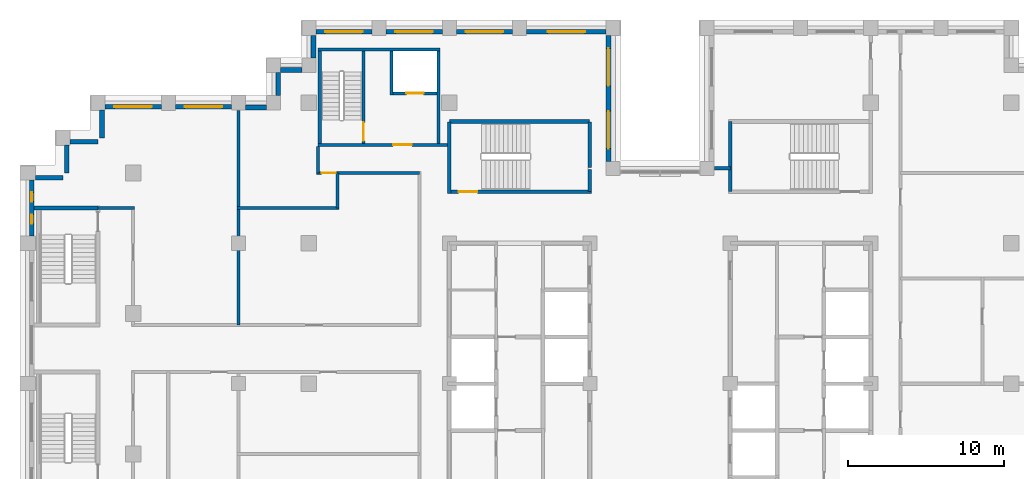
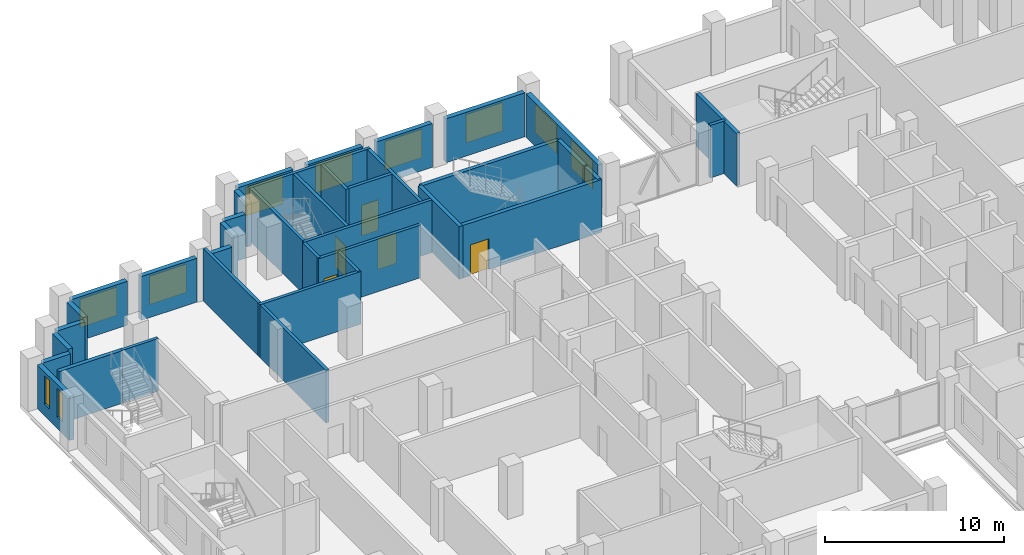
# One storey, part 10 of 15: 37 walls, 10 windows, 5 doors, 15 openings.
"""IFC4 building model written with IfcOpenShell, lengths in metres."""

from ifc_helpers import new_model, si_unit, direction, frame, frame_2d, origin, place, context, subcontext, project, spatial, rectangle, extrude, material, layer, layer_set, type_object, element, fill, save


model = new_model("IFC4")

# Units and contexts
model_context = context("Model", 3, precision=1e-05, world=origin(), true_north=direction((0.0, 1.0)))
body_context = subcontext(model_context, "Body", "Model", "MODEL_VIEW")
ifc_project = project(units=[si_unit("LENGTHUNIT", "METRE"), si_unit("AREAUNIT", "SQUARE_METRE"), si_unit("VOLUMEUNIT", "CUBIC_METRE"), si_unit("PLANEANGLEUNIT", "RADIAN"), si_unit("MASSUNIT", "GRAM", prefix="KILO")], contexts=[model_context])

# Site, building, storey
site_placement = place(None, origin())
site = spatial("IfcSite", under=ifc_project, at=site_placement, CompositionType="ELEMENT")
building_placement = place(site_placement, origin())
building = spatial("IfcBuilding", under=site, at=building_placement, Name="Corbelhall Arena Tower", CompositionType="ELEMENT")
storey_placement = place(building_placement, frame((0.0, 0.0, 232.0)))
storey = spatial("IfcBuildingStorey", under=building, at=storey_placement, Name="L49", CompositionType="ELEMENT", Elevation=232.0)

# Walls
ifc_material_1 = material(Name="Precast concrete C40/50 with granite facing", Category="masonry")
ifc_layer_1 = layer(ifc_material_1, 0.300048828125)
ifc_layer_set_1 = layer_set([ifc_layer_1], Name="EV-IW1 Infill panel 300")
wall_type_1 = type_object("IfcWallType", Name="EV-IW1 Infill panel 300", PredefinedType="SOLIDWALL", material=ifc_layer_set_1)
for number, where, z_axis, x_axis, name in (
    (1, (-35.75, 17.550048828125, 0.0), (0.0, 0.0, 1.0), (0.0, -1.0, 0.0), "Infill panel IW1"),
    (2, (-37.800048828125, 15.5, 0.0), (0.0, 0.0, 1.0), (1.0, 0.0, 0.0), "Infill panel IW1"),
    (3, (-38.0, 15.300048828125, 0.0), (0.0, 0.0, 1.0), (0.0, -1.0, 0.0), "Infill panel IW1"),
):
    element("IfcWall", number, at=place(storey_placement, frame(where, z_axis=z_axis, x_axis=x_axis)), inside=storey, type_object=wall_type_1, Name=name, PredefinedType="SOLIDWALL", context=body_context, shape_type="SweptSolid", body=[
        extrude(rectangle(XDim=1.800048828125, YDim=0.300048828125, at=frame_2d((0.89990234375, 0.0))), origin(), (0.0, 0.0, 1.0), 2.99951171875),
    ])
wall_1_placement = place(storey_placement, frame((-40.0, 13.199951171875, 0.0), z_axis=(0.0, 0.0, 1.0), x_axis=(1.0, 0.0, 0.0)))
element("IfcWall", 4, at=wall_1_placement, inside=storey, type_object=wall_type_1, Name="Infill panel IW1", PredefinedType="SOLIDWALL", context=body_context, shape_type="SweptSolid", body=[
    extrude(rectangle(XDim=1.75, YDim=0.300048828125, at=frame_2d((0.875, 0.0))), origin(), (0.0, 0.0, 1.0), 2.99951171875),
])
wall_2_placement = place(storey_placement, frame((-22.949951171875, 20.10009765625, 0.0), z_axis=(0.0, 0.0, 1.0), x_axis=(-1.0, 0.0, 0.0)))
element("IfcWall", 5, at=wall_2_placement, inside=storey, type_object=wall_type_1, Name="Infill panel IW1", PredefinedType="SOLIDWALL", context=body_context, shape_type="SweptSolid", body=[
    extrude(rectangle(XDim=1.35009765625, YDim=0.300048828125, at=frame_2d((0.675048828125, 0.0))), origin(), (0.0, 0.0, 1.0), 2.99951171875),
])
wall_3_placement = place(storey_placement, frame((-24.449951171875, 19.949951171875, 0.0), z_axis=(0.0, 0.0, 1.0), x_axis=(0.0, -1.0, 0.0)))
element("IfcWall", 6, at=wall_3_placement, inside=storey, type_object=wall_type_1, Name="Infill panel IW1", PredefinedType="SOLIDWALL", context=body_context, shape_type="SweptSolid", body=[
    extrude(rectangle(XDim=1.5, YDim=0.300048828125, at=frame_2d((0.75, 0.0))), origin(), (0.0, 0.0, 1.0), 2.99951171875),
])
wall_4_placement = place(storey_placement, frame((-25.199951171875, 17.699951171875, 0.0), z_axis=(0.0, 0.0, 1.0), x_axis=(-1.0, 0.0, 0.0)))
element("IfcWall", 7, at=wall_4_placement, inside=storey, type_object=wall_type_1, Name="Infill panel IW1", PredefinedType="SOLIDWALL", context=body_context, shape_type="SweptSolid", body=[
    extrude(rectangle(XDim=1.35009765625, YDim=0.300048828125, at=frame_2d((0.675048828125, 0.0))), origin(), (0.0, 0.0, 1.0), 2.99951171875),
])

# Wall, opening, window
wall_5_placement = place(storey_placement, frame((-27.449951171875, 17.75, 0.0), z_axis=(0.0, 0.0, 1.0), x_axis=(-1.0, 0.0, 0.0)))
wall_5 = element("IfcWall", 8, at=wall_5_placement, inside=storey, type_object=wall_type_1, Name="Infill panel IW1", PredefinedType="SOLIDWALL", context=body_context, shape_type="SweptSolid", body=[
    extrude(rectangle(XDim=3.60009765625, YDim=0.300048828125, at=frame_2d((1.800048828125, 0.0))), origin(), (0.0, 0.0, 1.0), 2.99951171875),
])
opening_1_placement = place(wall_5_placement, frame((0.60009765625, 0.0, 0.800048828125)))
opening_1 = element("IfcOpeningElement", 9, at=opening_1_placement, cuts=wall_5, Name="Opening WN1", PredefinedType="OPENING", context=body_context, shape_type="SweptSolid", body=[
    extrude(rectangle(XDim=2.39990234375, YDim=1.949951171875, at=frame_2d((1.199951171875, 0.97509765625))), frame((0.0, 0.14990234375, 0.0), z_axis=(0.0, -1.0, 0.0), x_axis=(1.0, 0.0, 0.0)), (0.0, 0.0, 1.0), 0.300048828125),
])
ifc_material_2 = material(Name="Aluminium black anodised", Category="aluminium")
window_type_1 = type_object("IfcWindowType", Name="EV-WN1 Office window", PartitioningType="SINGLE_PANEL", PredefinedType="WINDOW", material=ifc_material_2)
window_1_placement = place(opening_1_placement, origin())
window_1 = element("IfcWindow", 10, at=window_1_placement, inside=storey, type_object=window_type_1, Name="Window WN1", OverallHeight=1.949951171875, OverallWidth=2.39990234375, PartitioningType="SINGLE_PANEL", PredefinedType="WINDOW", context=body_context, shape_type="SweptSolid", body=[
    extrude(rectangle(XDim=2.39990234375, YDim=1.949951171875, at=frame_2d((1.199951171875, 0.97509765625))), frame((0.0, 0.030029296875, 0.0), z_axis=(0.0, -1.0, 0.0), x_axis=(1.0, 0.0, 0.0)), (0.0, 0.0, 1.0), 0.06005859375),
])
fill(opening_1, window_1)

wall_6_placement = place(storey_placement, frame((-31.949951171875, 17.75, 0.0), z_axis=(0.0, 0.0, 1.0), x_axis=(-1.0, 0.0, 0.0)))
wall_6 = element("IfcWall", 11, at=wall_6_placement, inside=storey, type_object=wall_type_1, Name="Infill panel IW1", PredefinedType="SOLIDWALL", context=body_context, shape_type="SweptSolid", body=[
    extrude(rectangle(XDim=3.60009765625, YDim=0.300048828125, at=frame_2d((1.800048828125, 0.0))), origin(), (0.0, 0.0, 1.0), 2.99951171875),
])
opening_2_placement = place(wall_6_placement, frame((0.60009765625, 0.0, 0.800048828125)))
opening_2 = element("IfcOpeningElement", 12, at=opening_2_placement, cuts=wall_6, Name="Opening WN1", PredefinedType="OPENING", context=body_context, shape_type="SweptSolid", body=[
    extrude(rectangle(XDim=2.39990234375, YDim=1.949951171875, at=frame_2d((1.199951171875, 0.97509765625))), frame((0.0, 0.14990234375, 0.0), z_axis=(0.0, -1.0, 0.0), x_axis=(1.0, 0.0, 0.0)), (0.0, 0.0, 1.0), 0.300048828125),
])
window_2_placement = place(opening_2_placement, origin())
window_2 = element("IfcWindow", 13, at=window_2_placement, inside=storey, type_object=window_type_1, Name="Window WN1", OverallHeight=1.949951171875, OverallWidth=2.39990234375, PartitioningType="SINGLE_PANEL", PredefinedType="WINDOW", context=body_context, shape_type="SweptSolid", body=[
    extrude(rectangle(XDim=2.39990234375, YDim=1.949951171875, at=frame_2d((1.199951171875, 0.97509765625))), frame((0.0, 0.030029296875, 0.0), z_axis=(0.0, -1.0, 0.0), x_axis=(1.0, 0.0, 0.0)), (0.0, 0.0, 1.0), 0.06005859375),
])
fill(opening_2, window_2)

# Wall, openings, windows
wall_7_placement = place(storey_placement, frame((-40.25, 13.050048828125, 0.0), z_axis=(0.0, 0.0, 1.0), x_axis=(0.0, -1.0, 0.0)))
wall_7 = element("IfcWall", 14, at=wall_7_placement, inside=storey, type_object=wall_type_1, Name="Infill panel IW1", PredefinedType="SOLIDWALL", context=body_context, shape_type="SweptSolid", body=[
    extrude(rectangle(XDim=3.60009765625, YDim=0.300048828125, at=frame_2d((1.800048828125, 0.0))), origin(), (0.0, 0.0, 1.0), 2.99951171875),
])
opening_3_placement = place(wall_7_placement, frame((0.78759765625, 0.0, 0.800048828125)))
opening_3 = element("IfcOpeningElement", 15, at=opening_3_placement, cuts=wall_7, Name="Opening WN5", PredefinedType="OPENING", context=body_context, shape_type="SweptSolid", body=[
    extrude(rectangle(XDim=0.60009765625, YDim=1.949951171875, at=frame_2d((0.300048828125, 0.97509765625))), frame((0.0, 0.14990234375, 0.0), z_axis=(0.0, -1.0, 0.0), x_axis=(1.0, 0.0, 0.0)), (0.0, 0.0, 1.0), 0.300048828125),
])
opening_4_placement = place(wall_7_placement, frame((2.21240234375, 0.0, 0.800048828125)))
opening_4 = element("IfcOpeningElement", 16, at=opening_4_placement, cuts=wall_7, Name="Opening WN5", PredefinedType="OPENING", context=body_context, shape_type="SweptSolid", body=[
    extrude(rectangle(XDim=0.60009765625, YDim=1.949951171875, at=frame_2d((0.300048828125, 0.97509765625))), frame((0.0, 0.14990234375, 0.0), z_axis=(0.0, -1.0, 0.0), x_axis=(1.0, 0.0, 0.0)), (0.0, 0.0, 1.0), 0.300048828125),
])
window_type_2 = type_object("IfcWindowType", Name="EV-WN5 Office window 600", PartitioningType="SINGLE_PANEL", PredefinedType="WINDOW", material=ifc_material_2)
window_3_placement = place(opening_3_placement, origin())
window_3 = element("IfcWindow", 17, at=window_3_placement, inside=storey, type_object=window_type_2, Name="Window WN5", OverallHeight=1.949951171875, OverallWidth=0.60009765625, PartitioningType="SINGLE_PANEL", PredefinedType="WINDOW", context=body_context, shape_type="SweptSolid", body=[
    extrude(rectangle(XDim=0.60009765625, YDim=1.949951171875, at=frame_2d((0.300048828125, 0.97509765625))), frame((0.0, 0.030029296875, 0.0), z_axis=(0.0, -1.0, 0.0), x_axis=(1.0, 0.0, 0.0)), (0.0, 0.0, 1.0), 0.06005859375),
])
fill(opening_3, window_3)
window_4_placement = place(opening_4_placement, origin())
window_4 = element("IfcWindow", 18, at=window_4_placement, inside=storey, type_object=window_type_2, Name="Window WN5", OverallHeight=1.949951171875, OverallWidth=0.60009765625, PartitioningType="SINGLE_PANEL", PredefinedType="WINDOW", context=body_context, shape_type="SweptSolid", body=[
    extrude(rectangle(XDim=0.60009765625, YDim=1.949951171875, at=frame_2d((0.300048828125, 0.97509765625))), frame((0.0, 0.030029296875, 0.0), z_axis=(0.0, -1.0, 0.0), x_axis=(1.0, 0.0, 0.0)), (0.0, 0.0, 1.0), 0.06005859375),
])
fill(opening_4, window_4)

wall_8_placement = place(storey_placement, frame((-3.300048828125, 14.25, 0.0), z_axis=(0.0, 0.0, 1.0), x_axis=(0.0, 1.0, 0.0)))
wall_8 = element("IfcWall", 19, at=wall_8_placement, inside=storey, type_object=wall_type_1, Name="Infill panel IW1", PredefinedType="SOLIDWALL", context=body_context, shape_type="SweptSolid", body=[
    extrude(rectangle(XDim=8.050048828125, YDim=0.300048828125, at=frame_2d((4.02490234375, 0.0))), origin(), (0.0, 0.0, 1.0), 2.99951171875),
])
opening_5_placement = place(wall_8_placement, frame((0.8125, 0.0, 0.800048828125)))
opening_5 = element("IfcOpeningElement", 20, at=opening_5_placement, cuts=wall_8, Name="Opening WN1", PredefinedType="OPENING", context=body_context, shape_type="SweptSolid", body=[
    extrude(rectangle(XDim=2.39990234375, YDim=1.949951171875, at=frame_2d((1.199951171875, 0.97509765625))), frame((0.0, 0.14990234375, 0.0), z_axis=(0.0, -1.0, 0.0), x_axis=(1.0, 0.0, 0.0)), (0.0, 0.0, 1.0), 0.300048828125),
])
opening_6_placement = place(wall_8_placement, frame((4.83740234375, 0.0, 0.800048828125)))
opening_6 = element("IfcOpeningElement", 21, at=opening_6_placement, cuts=wall_8, Name="Opening WN1", PredefinedType="OPENING", context=body_context, shape_type="SweptSolid", body=[
    extrude(rectangle(XDim=2.39990234375, YDim=1.949951171875, at=frame_2d((1.199951171875, 0.97509765625))), frame((0.0, 0.14990234375, 0.0), z_axis=(0.0, -1.0, 0.0), x_axis=(1.0, 0.0, 0.0)), (0.0, 0.0, 1.0), 0.300048828125),
])
window_5_placement = place(opening_5_placement, origin())
window_5 = element("IfcWindow", 22, at=window_5_placement, inside=storey, type_object=window_type_1, Name="Window WN1", OverallHeight=1.949951171875, OverallWidth=2.39990234375, PartitioningType="SINGLE_PANEL", PredefinedType="WINDOW", context=body_context, shape_type="SweptSolid", body=[
    extrude(rectangle(XDim=2.39990234375, YDim=1.949951171875, at=frame_2d((1.199951171875, 0.97509765625))), frame((0.0, 0.030029296875, 0.0), z_axis=(0.0, -1.0, 0.0), x_axis=(1.0, 0.0, 0.0)), (0.0, 0.0, 1.0), 0.06005859375),
])
fill(opening_5, window_5)
window_6_placement = place(opening_6_placement, origin())
window_6 = element("IfcWindow", 23, at=window_6_placement, inside=storey, type_object=window_type_1, Name="Window WN1", OverallHeight=1.949951171875, OverallWidth=2.39990234375, PartitioningType="SINGLE_PANEL", PredefinedType="WINDOW", context=body_context, shape_type="SweptSolid", body=[
    extrude(rectangle(XDim=2.39990234375, YDim=1.949951171875, at=frame_2d((1.199951171875, 0.97509765625))), frame((0.0, 0.030029296875, 0.0), z_axis=(0.0, -1.0, 0.0), x_axis=(1.0, 0.0, 0.0)), (0.0, 0.0, 1.0), 0.06005859375),
])
fill(opening_6, window_6)

# Wall, opening, window
wall_9_placement = place(storey_placement, frame((-3.449951171875, 22.550048828125, 0.0), z_axis=(0.0, 0.0, 1.0), x_axis=(-1.0, 0.0, 0.0)))
wall_9 = element("IfcWall", 24, at=wall_9_placement, inside=storey, type_object=wall_type_1, Name="Infill panel IW1", PredefinedType="SOLIDWALL", context=body_context, shape_type="SweptSolid", body=[
    extrude(rectangle(XDim=5.10009765625, YDim=0.300048828125, at=frame_2d((2.550048828125, 0.0))), origin(), (0.0, 0.0, 1.0), 2.99951171875),
])
opening_7_placement = place(wall_9_placement, frame((1.35009765625, 0.0, 0.800048828125)))
opening_7 = element("IfcOpeningElement", 25, at=opening_7_placement, cuts=wall_9, Name="Opening WN1", PredefinedType="OPENING", context=body_context, shape_type="SweptSolid", body=[
    extrude(rectangle(XDim=2.39990234375, YDim=1.949951171875, at=frame_2d((1.199951171875, 0.97509765625))), frame((0.0, 0.14990234375, 0.0), z_axis=(0.0, -1.0, 0.0), x_axis=(1.0, 0.0, 0.0)), (0.0, 0.0, 1.0), 0.300048828125),
])
window_7_placement = place(opening_7_placement, origin())
window_7 = element("IfcWindow", 26, at=window_7_placement, inside=storey, type_object=window_type_1, Name="Window WN1", OverallHeight=1.949951171875, OverallWidth=2.39990234375, PartitioningType="SINGLE_PANEL", PredefinedType="WINDOW", context=body_context, shape_type="SweptSolid", body=[
    extrude(rectangle(XDim=2.39990234375, YDim=1.949951171875, at=frame_2d((1.199951171875, 0.97509765625))), frame((0.0, 0.030029296875, 0.0), z_axis=(0.0, -1.0, 0.0), x_axis=(1.0, 0.0, 0.0)), (0.0, 0.0, 1.0), 0.06005859375),
])
fill(opening_7, window_7)

wall_10_placement = place(storey_placement, frame((-9.449951171875, 22.550048828125, 0.0), z_axis=(0.0, 0.0, 1.0), x_axis=(-1.0, 0.0, 0.0)))
wall_10 = element("IfcWall", 27, at=wall_10_placement, inside=storey, type_object=wall_type_1, Name="Infill panel IW1", PredefinedType="SOLIDWALL", context=body_context, shape_type="SweptSolid", body=[
    extrude(rectangle(XDim=3.60009765625, YDim=0.300048828125, at=frame_2d((1.800048828125, 0.0))), origin(), (0.0, 0.0, 1.0), 2.99951171875),
])
opening_8_placement = place(wall_10_placement, frame((0.60009765625, 0.0, 0.800048828125)))
opening_8 = element("IfcOpeningElement", 28, at=opening_8_placement, cuts=wall_10, Name="Opening WN1", PredefinedType="OPENING", context=body_context, shape_type="SweptSolid", body=[
    extrude(rectangle(XDim=2.39990234375, YDim=1.949951171875, at=frame_2d((1.199951171875, 0.97509765625))), frame((0.0, 0.14990234375, 0.0), z_axis=(0.0, -1.0, 0.0), x_axis=(1.0, 0.0, 0.0)), (0.0, 0.0, 1.0), 0.300048828125),
])
window_8_placement = place(opening_8_placement, origin())
window_8 = element("IfcWindow", 29, at=window_8_placement, inside=storey, type_object=window_type_1, Name="Window WN1", OverallHeight=1.949951171875, OverallWidth=2.39990234375, PartitioningType="SINGLE_PANEL", PredefinedType="WINDOW", context=body_context, shape_type="SweptSolid", body=[
    extrude(rectangle(XDim=2.39990234375, YDim=1.949951171875, at=frame_2d((1.199951171875, 0.97509765625))), frame((0.0, 0.030029296875, 0.0), z_axis=(0.0, -1.0, 0.0), x_axis=(1.0, 0.0, 0.0)), (0.0, 0.0, 1.0), 0.06005859375),
])
fill(opening_8, window_8)

wall_11_placement = place(storey_placement, frame((-13.949951171875, 22.550048828125, 0.0), z_axis=(0.0, 0.0, 1.0), x_axis=(-1.0, 0.0, 0.0)))
wall_11 = element("IfcWall", 30, at=wall_11_placement, inside=storey, type_object=wall_type_1, Name="Infill panel IW1", PredefinedType="SOLIDWALL", context=body_context, shape_type="SweptSolid", body=[
    extrude(rectangle(XDim=3.60009765625, YDim=0.300048828125, at=frame_2d((1.800048828125, 0.0))), origin(), (0.0, 0.0, 1.0), 2.99951171875),
])
opening_9_placement = place(wall_11_placement, frame((0.60009765625, 0.0, 0.800048828125)))
opening_9 = element("IfcOpeningElement", 31, at=opening_9_placement, cuts=wall_11, Name="Opening WN1", PredefinedType="OPENING", context=body_context, shape_type="SweptSolid", body=[
    extrude(rectangle(XDim=2.39990234375, YDim=1.949951171875, at=frame_2d((1.199951171875, 0.97509765625))), frame((0.0, 0.14990234375, 0.0), z_axis=(0.0, -1.0, 0.0), x_axis=(1.0, 0.0, 0.0)), (0.0, 0.0, 1.0), 0.300048828125),
])
window_9_placement = place(opening_9_placement, origin())
window_9 = element("IfcWindow", 32, at=window_9_placement, inside=storey, type_object=window_type_1, Name="Window WN1", OverallHeight=1.949951171875, OverallWidth=2.39990234375, PartitioningType="SINGLE_PANEL", PredefinedType="WINDOW", context=body_context, shape_type="SweptSolid", body=[
    extrude(rectangle(XDim=2.39990234375, YDim=1.949951171875, at=frame_2d((1.199951171875, 0.97509765625))), frame((0.0, 0.030029296875, 0.0), z_axis=(0.0, -1.0, 0.0), x_axis=(1.0, 0.0, 0.0)), (0.0, 0.0, 1.0), 0.06005859375),
])
fill(opening_9, window_9)

wall_12_placement = place(storey_placement, frame((-18.449951171875, 22.550048828125, 0.0), z_axis=(0.0, 0.0, 1.0), x_axis=(-1.0, 0.0, 0.0)))
wall_12 = element("IfcWall", 33, at=wall_12_placement, inside=storey, type_object=wall_type_1, Name="Infill panel IW1", PredefinedType="SOLIDWALL", context=body_context, shape_type="SweptSolid", body=[
    extrude(rectangle(XDim=3.60009765625, YDim=0.300048828125, at=frame_2d((1.800048828125, 0.0))), origin(), (0.0, 0.0, 1.0), 2.99951171875),
])
opening_10_placement = place(wall_12_placement, frame((0.60009765625, 0.0, 0.800048828125)))
opening_10 = element("IfcOpeningElement", 34, at=opening_10_placement, cuts=wall_12, Name="Opening WN1", PredefinedType="OPENING", context=body_context, shape_type="SweptSolid", body=[
    extrude(rectangle(XDim=2.39990234375, YDim=1.949951171875, at=frame_2d((1.199951171875, 0.97509765625))), frame((0.0, 0.14990234375, 0.0), z_axis=(0.0, -1.0, 0.0), x_axis=(1.0, 0.0, 0.0)), (0.0, 0.0, 1.0), 0.300048828125),
])
window_10_placement = place(opening_10_placement, origin())
window_10 = element("IfcWindow", 35, at=window_10_placement, inside=storey, type_object=window_type_1, Name="Window WN1", OverallHeight=1.949951171875, OverallWidth=2.39990234375, PartitioningType="SINGLE_PANEL", PredefinedType="WINDOW", context=body_context, shape_type="SweptSolid", body=[
    extrude(rectangle(XDim=2.39990234375, YDim=1.949951171875, at=frame_2d((1.199951171875, 0.97509765625))), frame((0.0, 0.030029296875, 0.0), z_axis=(0.0, -1.0, 0.0), x_axis=(1.0, 0.0, 0.0)), (0.0, 0.0, 1.0), 0.06005859375),
])
fill(opening_10, window_10)

# Walls
wall_13_placement = place(storey_placement, frame((-22.199951171875, 22.300048828125, 0.0), z_axis=(0.0, 0.0, 1.0), x_axis=(0.0, -1.0, 0.0)))
element("IfcWall", 36, at=wall_13_placement, inside=storey, type_object=wall_type_1, Name="Infill panel IW1", PredefinedType="SOLIDWALL", context=body_context, shape_type="SweptSolid", body=[
    extrude(rectangle(XDim=1.449951171875, YDim=0.300048828125, at=frame_2d((0.72509765625, 0.0))), origin(), (0.0, 0.0, 1.0), 2.99951171875),
])
ifc_material_3 = material(Name="Gypsum board on steel stud, acoustic", Category="steel")
ifc_layer_2 = layer(ifc_material_3, 0.199951171875)
ifc_layer_set_2 = layer_set([ifc_layer_2], Name="IN-W-DM200")
wall_type_2 = type_object("IfcWallType", Name="IN-W-DM200", PredefinedType="PARTITIONING", material=ifc_layer_set_2)
wall_14_placement = place(storey_placement, frame((-36.0, 11.25, 0.0), z_axis=(0.0, 0.0, 1.0), x_axis=(1.0, 0.0, 0.0)))
element("IfcWall", 37, at=wall_14_placement, inside=storey, type_object=wall_type_2, Name="Partition 001", PredefinedType="PARTITIONING", context=body_context, shape_type="SweptSolid", body=[
    extrude(rectangle(XDim=2.35009765625, YDim=0.199951171875, at=frame_2d((1.175048828125, 0.0))), origin(), (0.0, 0.0, 1.0), 3.599609375),
])
wall_15_placement = place(storey_placement, frame((-27.10009765625, 11.25, 0.0), z_axis=(0.0, 0.0, 1.0), x_axis=(1.0, 0.0, 0.0)))
element("IfcWall", 38, at=wall_15_placement, inside=storey, type_object=wall_type_2, Name="Partition 009", PredefinedType="PARTITIONING", context=body_context, shape_type="SweptSolid", body=[
    extrude(rectangle(XDim=6.550048828125, YDim=0.199951171875, at=frame_2d((3.27490234375, 0.0))), origin(), (0.0, 0.0, 1.0), 3.599609375),
])
wall_16_placement = place(storey_placement, frame((-27.0, 3.75, 0.0), z_axis=(0.0, 0.0, 1.0), x_axis=(0.0, 1.0, 0.0)))
element("IfcWall", 39, at=wall_16_placement, inside=storey, type_object=wall_type_2, Name="Partition 011", PredefinedType="PARTITIONING", context=body_context, shape_type="SweptSolid", body=[
    extrude(rectangle(XDim=13.75, YDim=0.199951171875, at=frame_2d((6.875, 0.0))), origin(), (0.0, 0.0, 1.0), 3.599609375),
])
wall_17_placement = place(storey_placement, frame((-21.89990234375, 13.5, 0.0), z_axis=(0.0, 0.0, 1.0), x_axis=(0.0, 1.0, 0.0)))
element("IfcWall", 40, at=wall_17_placement, inside=storey, type_object=wall_type_2, Name="Partition 013", PredefinedType="PARTITIONING", context=body_context, shape_type="SweptSolid", body=[
    extrude(rectangle(XDim=1.699951171875, YDim=0.199951171875, at=frame_2d((0.85009765625, 0.0))), origin(), (0.0, 0.0, 1.0), 3.599609375),
])
wall_18_placement = place(storey_placement, frame((-20.64990234375, 11.25, 0.0), z_axis=(0.0, 0.0, 1.0), x_axis=(0.0, 1.0, 0.0)))
element("IfcWall", 41, at=wall_18_placement, inside=storey, type_object=wall_type_2, Name="Partition 016", PredefinedType="PARTITIONING", context=body_context, shape_type="SweptSolid", body=[
    extrude(rectangle(XDim=2.25, YDim=0.199951171875, at=frame_2d((1.125, 0.0))), origin(), (0.0, 0.0, 1.0), 3.599609375),
])

# Wall, opening, door
wall_19_placement = place(storey_placement, frame((-15.39990234375, 13.5, 0.0), z_axis=(0.0, 0.0, 1.0), x_axis=(-1.0, 0.0, 0.0)))
wall_19 = element("IfcWall", 42, at=wall_19_placement, inside=storey, type_object=wall_type_2, Name="Partition 017", PredefinedType="PARTITIONING", context=body_context, shape_type="SweptSolid", body=[
    extrude(rectangle(XDim=6.60009765625, YDim=0.199951171875, at=frame_2d((3.300048828125, 0.0))), origin(), (0.0, 0.0, 1.0), 3.599609375),
])
opening_11_placement = place(wall_19_placement, frame((5.3701171875, 0.0, 0.0)))
opening_11 = element("IfcOpeningElement", 43, at=opening_11_placement, cuts=wall_19, Name="Opening 15040", PredefinedType="OPENING", context=body_context, shape_type="SweptSolid", body=[
    extrude(rectangle(XDim=0.89990234375, YDim=2.10009765625, at=frame_2d((0.449951171875, 1.050048828125))), frame((0.0, 0.10009765625, 0.0), z_axis=(0.0, -1.0, 0.0), x_axis=(1.0, 0.0, 0.0)), (0.0, 0.0, 1.0), 0.199951171875),
])
ifc_material_4 = material(Name="Timber door set", Category="wood")
door_type_1 = type_object("IfcDoorType", Name="IN-D-SW90", OperationType="NOTDEFINED", PredefinedType="DOOR", material=ifc_material_4)
door_1_placement = place(opening_11_placement, origin())
door_1 = element("IfcDoor", 44, at=door_1_placement, inside=storey, type_object=door_type_1, Name="Door 040", OperationType="SINGLE_SWING_LEFT", OverallHeight=2.10009765625, OverallWidth=0.89990234375, PredefinedType="DOOR", context=body_context, shape_type="SweptSolid", body=[
    extrude(rectangle(XDim=0.89990234375, YDim=2.10009765625, at=frame_2d((0.449951171875, 1.050048828125))), frame((0.0, 0.02490234375, 0.0), z_axis=(0.0, -1.0, 0.0), x_axis=(1.0, 0.0, 0.0)), (0.0, 0.0, 1.0), 0.050048828125),
])
fill(opening_11, door_1)

# Wall
wall_20_placement = place(storey_placement, frame((3.50048828125, 13.800048828125, 0.0), z_axis=(0.0, 0.0, 1.0), x_axis=(1.0, 0.0, 0.0)))
element("IfcWall", 45, at=wall_20_placement, inside=storey, type_object=wall_type_2, Name="Partition 022", PredefinedType="PARTITIONING", context=body_context, shape_type="SweptSolid", body=[
    extrude(rectangle(XDim=0.9990234375, YDim=0.199951171875, at=frame_2d((0.49951171875, 0.0))), origin(), (0.0, 0.0, 1.0), 3.599609375),
])

# Wall, opening, door
ifc_material_5 = material(Name="Concrete C40/50", Category="concrete")
ifc_layer_3 = layer(ifc_material_5, 0.199951171875)
ifc_layer_set_3 = layer_set([ifc_layer_3], Name="IN-W-EAR200")
wall_type_3 = type_object("IfcWallType", Name="IN-W-EAR200", PredefinedType="SOLIDWALL", material=ifc_layer_set_3)
wall_21_placement = place(storey_placement, frame((-21.89990234375, 15.300048828125, 0.0), z_axis=(0.0, 0.0, 1.0), x_axis=(1.0, 0.0, 0.0)))
wall_21 = element("IfcWall", 46, at=wall_21_placement, inside=storey, type_object=wall_type_3, Name="Fire service turret wall south", PredefinedType="SOLIDWALL", context=body_context, shape_type="SweptSolid", body=[
    extrude(rectangle(XDim=8.27490234375, YDim=0.199951171875, at=frame_2d((4.137451171875, 0.0))), origin(), (0.0, 0.0, 1.0), 3.599609375),
])
opening_12_placement = place(wall_21_placement, frame((4.800048828125, 0.0, 0.0)))
opening_12 = element("IfcOpeningElement", 47, at=opening_12_placement, cuts=wall_21, Name="Opening E152", PredefinedType="OPENING", context=body_context, shape_type="SweptSolid", body=[
    extrude(rectangle(XDim=1.199951171875, YDim=2.10009765625, at=frame_2d((0.60009765625, 1.050048828125))), frame((0.0, 0.10009765625, 0.0), z_axis=(0.0, -1.0, 0.0), x_axis=(1.0, 0.0, 0.0)), (0.0, 0.0, 1.0), 0.199951171875),
])
ifc_material_6 = material(Name="Steel door set", Category="steel")
door_type_2 = type_object("IfcDoorType", Name="IN-D-ST120", OperationType="NOTDEFINED", PredefinedType="DOOR", material=ifc_material_6)
door_2_placement = place(opening_12_placement, origin())
door_2 = element("IfcDoor", 48, at=door_2_placement, inside=storey, type_object=door_type_2, Name="Door from fire service lift lobby to circulation", OperationType="SINGLE_SWING_RIGHT", OverallHeight=2.10009765625, OverallWidth=1.199951171875, PredefinedType="DOOR", context=body_context, shape_type="SweptSolid", body=[
    extrude(rectangle(XDim=1.199951171875, YDim=2.10009765625, at=frame_2d((0.60009765625, 1.050048828125))), frame((0.0, 0.02490234375, 0.0), z_axis=(0.0, -1.0, 0.0), x_axis=(1.0, 0.0, 0.0)), (0.0, 0.0, 1.0), 0.050048828125),
])
fill(opening_12, door_2)

# Walls
wall_22_placement = place(storey_placement, frame((-21.89990234375, 21.39990234375, 0.0), z_axis=(0.0, 0.0, 1.0), x_axis=(1.0, 0.0, 0.0)))
element("IfcWall", 49, at=wall_22_placement, inside=storey, type_object=wall_type_3, Name="Fire service turret wall north", PredefinedType="SOLIDWALL", context=body_context, shape_type="SweptSolid", body=[
    extrude(rectangle(XDim=7.7998046875, YDim=0.199951171875, at=frame_2d((3.89990234375, 0.0))), origin(), (0.0, 0.0, 1.0), 3.599609375),
])
for number, where, z_axis, x_axis, name in (
    (50, (-21.800048828125, 15.39990234375, 0.0), (0.0, 0.0, 1.0), (0.0, 1.0, 0.0), "Fire service turret wall west"),
    (51, (-14.199951171875, 15.39990234375, 0.0), (0.0, 0.0, 1.0), (0.0, 1.0, 0.0), "Fire service turret wall east"),
):
    element("IfcWall", number, at=place(storey_placement, frame(where, z_axis=z_axis, x_axis=x_axis)), inside=storey, type_object=wall_type_3, Name=name, PredefinedType="SOLIDWALL", context=body_context, shape_type="SweptSolid", body=[
        extrude(rectangle(XDim=5.900146484375, YDim=0.199951171875, at=frame_2d((2.9501953125, 0.0))), origin(), (0.0, 0.0, 1.0), 3.599609375),
    ])

# Wall, opening, door
wall_23_placement = place(storey_placement, frame((-18.989990234375, 15.39990234375, 0.0), z_axis=(0.0, 0.0, 1.0), x_axis=(0.0, 1.0, 0.0)))
wall_23 = element("IfcWall", 52, at=wall_23_placement, inside=storey, type_object=wall_type_3, Name="Fire service turret wall stair", PredefinedType="SOLIDWALL", context=body_context, shape_type="SweptSolid", body=[
    extrude(rectangle(XDim=5.900146484375, YDim=0.199951171875, at=frame_2d((2.9501953125, 0.0))), origin(), (0.0, 0.0, 1.0), 3.599609375),
])
opening_13_placement = place(wall_23_placement, frame((0.14990234375, 0.0, 0.0)))
opening_13 = element("IfcOpeningElement", 53, at=opening_13_placement, cuts=wall_23, Name="Opening E151", PredefinedType="OPENING", context=body_context, shape_type="SweptSolid", body=[
    extrude(rectangle(XDim=1.199951171875, YDim=2.10009765625, at=frame_2d((0.60009765625, 1.050048828125))), frame((0.0, 0.10009765625, 0.0), z_axis=(0.0, -1.0, 0.0), x_axis=(1.0, 0.0, 0.0)), (0.0, 0.0, 1.0), 0.199951171875),
])
door_3_placement = place(opening_13_placement, origin())
door_3 = element("IfcDoor", 54, at=door_3_placement, inside=storey, type_object=door_type_2, Name="Stair door to fire service lobby", OperationType="SINGLE_SWING_LEFT", OverallHeight=2.10009765625, OverallWidth=1.199951171875, PredefinedType="DOOR", context=body_context, shape_type="SweptSolid", body=[
    extrude(rectangle(XDim=1.199951171875, YDim=2.10009765625, at=frame_2d((0.60009765625, 1.050048828125))), frame((0.0, 0.02490234375, 0.0), z_axis=(0.0, -1.0, 0.0), x_axis=(1.0, 0.0, 0.0)), (0.0, 0.0, 1.0), 0.050048828125),
])
fill(opening_13, door_3)

# Wall
wall_24_placement = place(storey_placement, frame((-17.199951171875, 18.5, 0.0), z_axis=(0.0, 0.0, 1.0), x_axis=(0.0, 1.0, 0.0)))
element("IfcWall", 55, at=wall_24_placement, inside=storey, type_object=wall_type_3, Name="Fire service turret wall hoistway west", PredefinedType="SOLIDWALL", context=body_context, shape_type="SweptSolid", body=[
    extrude(rectangle(XDim=2.800048828125, YDim=0.199951171875, at=frame_2d((1.39990234375, 0.0))), origin(), (0.0, 0.0, 1.0), 3.599609375),
])

# Wall, opening, door
wall_25_placement = place(storey_placement, frame((-17.10009765625, 18.60009765625, 0.0), z_axis=(0.0, 0.0, 1.0), x_axis=(1.0, 0.0, 0.0)))
wall_25 = element("IfcWall", 56, at=wall_25_placement, inside=storey, type_object=wall_type_3, Name="Fire service turret wall hoistway south", PredefinedType="SOLIDWALL", context=body_context, shape_type="SweptSolid", body=[
    extrude(rectangle(XDim=2.800048828125, YDim=0.199951171875, at=frame_2d((1.39990234375, 0.0))), origin(), (0.0, 0.0, 1.0), 3.599609375),
])
opening_14_placement = place(wall_25_placement, frame((0.85009765625, 0.0, 0.0)))
opening_14 = element("IfcOpeningElement", 57, at=opening_14_placement, cuts=wall_25, Name="Opening LD", PredefinedType="OPENING", context=body_context, shape_type="SweptSolid", body=[
    extrude(rectangle(XDim=1.10009765625, YDim=2.10009765625, at=frame_2d((0.550048828125, 1.050048828125))), frame((0.0, 0.10009765625, 0.0), z_axis=(0.0, -1.0, 0.0), x_axis=(1.0, 0.0, 0.0)), (0.0, 0.0, 1.0), 0.199951171875),
])
door_type_3 = type_object("IfcDoorType", Name="IN-D-LD110", OperationType="NOTDEFINED", PredefinedType="DOOR", material=ifc_material_6)
door_4_placement = place(opening_14_placement, origin())
door_4 = element("IfcDoor", 58, at=door_4_placement, inside=storey, type_object=door_type_3, Name="Landing door FS1", OperationType="SLIDING_TO_LEFT", OverallHeight=2.10009765625, OverallWidth=1.10009765625, PredefinedType="DOOR", context=body_context, shape_type="SweptSolid", body=[
    extrude(rectangle(XDim=1.10009765625, YDim=2.10009765625, at=frame_2d((0.550048828125, 1.050048828125))), frame((0.0, 0.02490234375, 0.0), z_axis=(0.0, -1.0, 0.0), x_axis=(1.0, 0.0, 0.0)), (0.0, 0.0, 1.0), 0.050048828125),
])
fill(opening_14, door_4)

# Wall
ifc_layer_4 = layer(ifc_material_5, 0.25)
ifc_layer_set_4 = layer_set([ifc_layer_4], Name="IN-W-ST250")
wall_type_4 = type_object("IfcWallType", Name="IN-W-ST250", PredefinedType="SOLIDWALL", material=ifc_layer_set_4)
wall_26_placement = place(storey_placement, frame((-40.10009765625, 11.25, 0.0), z_axis=(0.0, 0.0, 1.0), x_axis=(1.0, 0.0, 0.0)))
element("IfcWall", 59, at=wall_26_placement, inside=storey, type_object=wall_type_4, Name="Shaft wall 074", PredefinedType="SOLIDWALL", context=body_context, shape_type="SweptSolid", body=[
    extrude(rectangle(XDim=4.10009765625, YDim=0.25, at=frame_2d((2.050048828125, 0.0))), origin(), (0.0, 0.0, 1.0), 3.599609375),
])

# Wall, opening, door
wall_27_placement = place(storey_placement, frame((-13.5, 12.300048828125, 0.0), z_axis=(0.0, 0.0, 1.0), x_axis=(1.0, 0.0, 0.0)))
wall_27 = element("IfcWall", 60, at=wall_27_placement, inside=storey, type_object=wall_type_4, Name="Shaft wall 080", PredefinedType="SOLIDWALL", context=body_context, shape_type="SweptSolid", body=[
    extrude(rectangle(XDim=9.125, YDim=0.25, at=frame_2d((4.5625, 0.0))), origin(), (0.0, 0.0, 1.0), 3.599609375),
])
opening_15_placement = place(wall_27_placement, frame((0.60009765625, 0.0, 0.0)))
opening_15 = element("IfcOpeningElement", 61, at=opening_15_placement, cuts=wall_27, Name="Opening 15015", PredefinedType="OPENING", context=body_context, shape_type="SweptSolid", body=[
    extrude(rectangle(XDim=1.199951171875, YDim=2.10009765625, at=frame_2d((0.60009765625, 1.050048828125))), frame((0.0, 0.125, 0.0), z_axis=(0.0, -1.0, 0.0), x_axis=(1.0, 0.0, 0.0)), (0.0, 0.0, 1.0), 0.25),
])
door_5_placement = place(opening_15_placement, origin())
door_5 = element("IfcDoor", 62, at=door_5_placement, inside=storey, type_object=door_type_2, Name="Door 015", OperationType="SINGLE_SWING_RIGHT", OverallHeight=2.10009765625, OverallWidth=1.199951171875, PredefinedType="DOOR", context=body_context, shape_type="SweptSolid", body=[
    extrude(rectangle(XDim=1.199951171875, YDim=2.10009765625, at=frame_2d((0.60009765625, 1.050048828125))), frame((0.0, 0.02490234375, 0.0), z_axis=(0.0, -1.0, 0.0), x_axis=(1.0, 0.0, 0.0)), (0.0, 0.0, 1.0), 0.050048828125),
])
fill(opening_15, door_5)

# Walls
wall_28_placement = place(storey_placement, frame((-13.5, 16.780029296875, 0.0), z_axis=(0.0, 0.0, 1.0), x_axis=(0.0, -1.0, 0.0)))
element("IfcWall", 63, at=wall_28_placement, inside=storey, type_object=wall_type_4, Name="Shaft wall 081", PredefinedType="SOLIDWALL", context=body_context, shape_type="SweptSolid", body=[
    extrude(rectangle(XDim=4.60498046875, YDim=0.25, at=frame_2d((2.302490234375, 0.0))), origin(), (0.0, 0.0, 1.0), 3.599609375),
])
wall_29_placement = place(storey_placement, frame((-13.47998046875, 16.800048828125, 0.0), z_axis=(0.0, 0.0, 1.0), x_axis=(1.0, 0.0, 0.0)))
element("IfcWall", 64, at=wall_29_placement, inside=storey, type_object=wall_type_4, Name="Shaft wall 082", PredefinedType="SOLIDWALL", context=body_context, shape_type="SweptSolid", body=[
    extrude(rectangle(XDim=8.9599609375, YDim=0.25, at=frame_2d((4.47998046875, 0.0))), origin(), (0.0, 0.0, 1.0), 3.599609375),
])
wall_30_placement = place(storey_placement, frame((-4.5, 13.73291015625, 0.0), z_axis=(0.0, 0.0, 1.0), x_axis=(0.0, -1.0, 0.0)))
element("IfcWall", 65, at=wall_30_placement, inside=storey, type_object=wall_type_4, Name="Shaft wall 085", PredefinedType="SOLIDWALL", context=body_context, shape_type="SweptSolid", body=[
    extrude(rectangle(XDim=1.432861328125, YDim=0.25, at=frame_2d((0.71630859375, 0.0))), origin(), (0.0, 0.0, 1.0), 3.599609375),
])
wall_31_placement = place(storey_placement, frame((-4.5, 16.780029296875, 0.0), z_axis=(0.0, 0.0, 1.0), x_axis=(0.0, -1.0, 0.0)))
element("IfcWall", 66, at=wall_31_placement, inside=storey, type_object=wall_type_4, Name="Shaft wall 086", PredefinedType="SOLIDWALL", context=body_context, shape_type="SweptSolid", body=[
    extrude(rectangle(XDim=2.9130859375, YDim=0.25, at=frame_2d((1.45654296875, 0.0))), origin(), (0.0, 0.0, 1.0), 3.599609375),
])
wall_32_placement = place(storey_placement, frame((4.5, 12.300048828125, 0.0), z_axis=(0.0, 0.0, 1.0), x_axis=(0.0, 1.0, 0.0)))
element("IfcWall", 67, at=wall_32_placement, inside=storey, type_object=wall_type_4, Name="Shaft wall 091", PredefinedType="SOLIDWALL", context=body_context, shape_type="SweptSolid", body=[
    extrude(rectangle(XDim=4.5, YDim=0.25, at=frame_2d((2.25, 0.0))), origin(), (0.0, 0.0, 1.0), 3.599609375),
])

save(model, "model.ifc")
